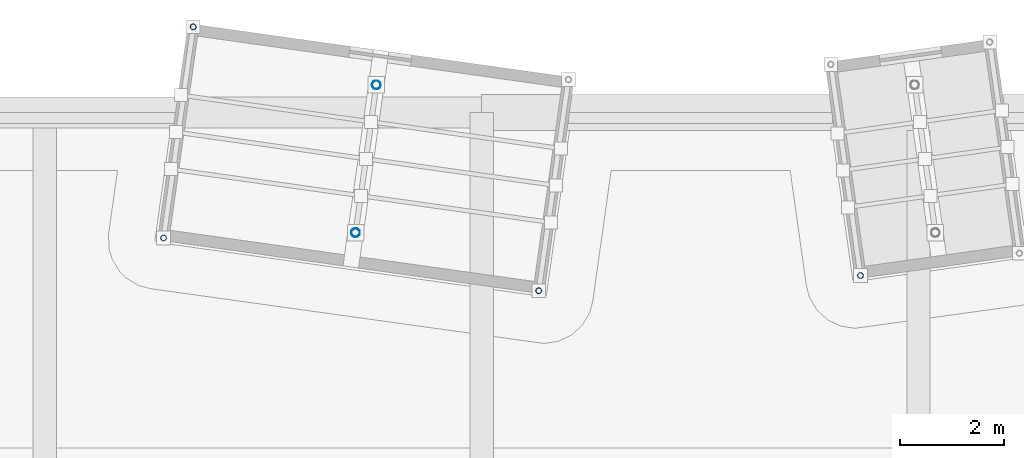
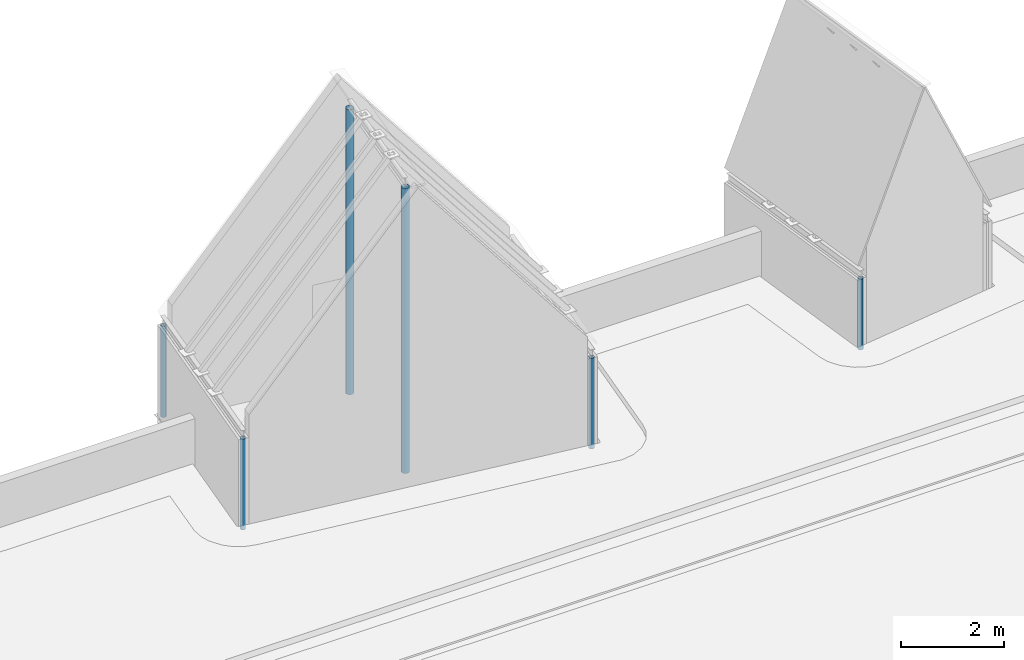
# One storey, part 3 of 11: 6 columns.
"""IFC4 building model written with IfcOpenShell, lengths in metres."""

from ifc_helpers import new_model, si_unit, direction, frame, origin, origin_2d, place, context, subcontext, project, spatial, hollow_circle, extrude, material, material_profile, profile_set, type_object, element, save


model = new_model("IFC4")

# Units and contexts
model_context = context("Model", 3, precision=1e-05, world=origin(), true_north=direction((0.0, 1.0)))
body_context = subcontext(model_context, "Body", "Model", "MODEL_VIEW")
ifc_project = project(units=[si_unit("LENGTHUNIT", "METRE"), si_unit("AREAUNIT", "SQUARE_METRE"), si_unit("VOLUMEUNIT", "CUBIC_METRE"), si_unit("PLANEANGLEUNIT", "RADIAN"), si_unit("MASSUNIT", "GRAM", prefix="KILO")], contexts=[model_context])

# Site, building, storey
site_placement = place(None, origin())
site = spatial("IfcSite", under=ifc_project, at=site_placement, CompositionType="ELEMENT")
building_placement = place(site_placement, origin())
building = spatial("IfcBuilding", under=site, at=building_placement, Name="Kiln Court Media Centre", CompositionType="ELEMENT")
storey_placement = place(building_placement, frame((0.0, 0.0, 42.60009765625)))
storey = spatial("IfcBuildingStorey", under=building, at=storey_placement, Name="ROOF", CompositionType="ELEMENT", Elevation=42.60009765625)

# Columns
ifc_material_1 = material(Name="Steel ASTM A500 Gr C", Category="steel")
ifc_material_profile_1 = material_profile(ifc_material_1, hollow_circle(Radius=0.05712890625, WallThickness=0.0048828125, at=origin_2d()), Name="CHS 114.3x5.0")
ifc_profile_set_1 = profile_set([ifc_material_profile_1], Name="Steel ASTM A500 Gr C")
column_type_1 = type_object("IfcColumnType", Name="Steel ASTM A500 Gr C CHS 114.3x5.0 crown eaves post", PredefinedType="COLUMN", material=ifc_profile_set_1)
for number, where, z_axis, x_axis, name in (
    (1, (10.682373046875, 22.78564453125, 0.0078125), (0.0, 0.0, 1.0), (1.0, 0.0, 0.0), "crown form 6 eaves post crown eaves post"),
    (2, (11.2529296875, 26.845703125, 0.0078125), (0.0, 0.0, 1.0), (1.0, 0.0, 0.0), "crown form 6 eaves post crown eaves post"),
    (3, (17.896484375, 21.771728515625, 0.0078125), (0.0, 0.0, 1.0), (1.0, 0.0, 0.0), "crown form 6 eaves post crown eaves post"),
):
    element("IfcColumn", number, at=place(storey_placement, frame(where, z_axis=z_axis, x_axis=x_axis)), inside=storey, type_object=column_type_1, Name=name, PredefinedType="COLUMN", context=body_context, shape_type="SweptSolid", body=[
        extrude(hollow_circle(Radius=0.05712890625, WallThickness=0.0048828125, at=origin_2d()), origin(), (0.0, 0.0, 1.0), 2.152099609375),
    ])
column_placement = place(storey_placement, frame((24.0830078125, 22.06396484375, 0.0078125), z_axis=(0.0, 0.0, 1.0), x_axis=(1.0, 0.0, 0.0)))
element("IfcColumn", 4, at=column_placement, inside=storey, type_object=column_type_1, Name="crown form 7 eaves post crown eaves post", PredefinedType="COLUMN", context=body_context, shape_type="SweptSolid", body=[
    extrude(hollow_circle(Radius=0.05712890625, WallThickness=0.0048828125, at=origin_2d()), origin(), (0.0, 0.0, 1.0), 1.68017578125),
])
ifc_material_2 = material(Name="Steel ASTM A500 Gr C", Category="steel")
ifc_material_profile_2 = material_profile(ifc_material_2, hollow_circle(Radius=0.084228515625, WallThickness=0.00634765625, at=origin_2d()), Name="CHS 168.3x6.3")
ifc_profile_set_2 = profile_set([ifc_material_profile_2], Name="Steel ASTM A500 Gr C")
column_type_2 = type_object("IfcColumnType", Name="Steel ASTM A500 Gr C CHS 168.3x6.3 crown ridge post", PredefinedType="COLUMN", material=ifc_profile_set_2)
for number, where, z_axis, x_axis, name in (
    (5, (14.375, 22.8876953125, 0.0078125), (0.0, 0.0, 1.0), (1.0, 0.0, 0.0), "crown form 6 ridge post crown ridge post"),
    (6, (14.7744140625, 25.729736328125, 0.0078125), (0.0, 0.0, 1.0), (1.0, 0.0, 0.0), "crown form 6 ridge post crown ridge post"),
):
    element("IfcColumn", number, at=place(storey_placement, frame(where, z_axis=z_axis, x_axis=x_axis)), inside=storey, type_object=column_type_2, Name=name, PredefinedType="COLUMN", context=body_context, shape_type="SweptSolid", body=[
        extrude(hollow_circle(Radius=0.084228515625, WallThickness=0.00634765625, at=origin_2d()), origin(), (0.0, 0.0, 1.0), 6.735107421875),
    ])

save(model, "model.ifc")
